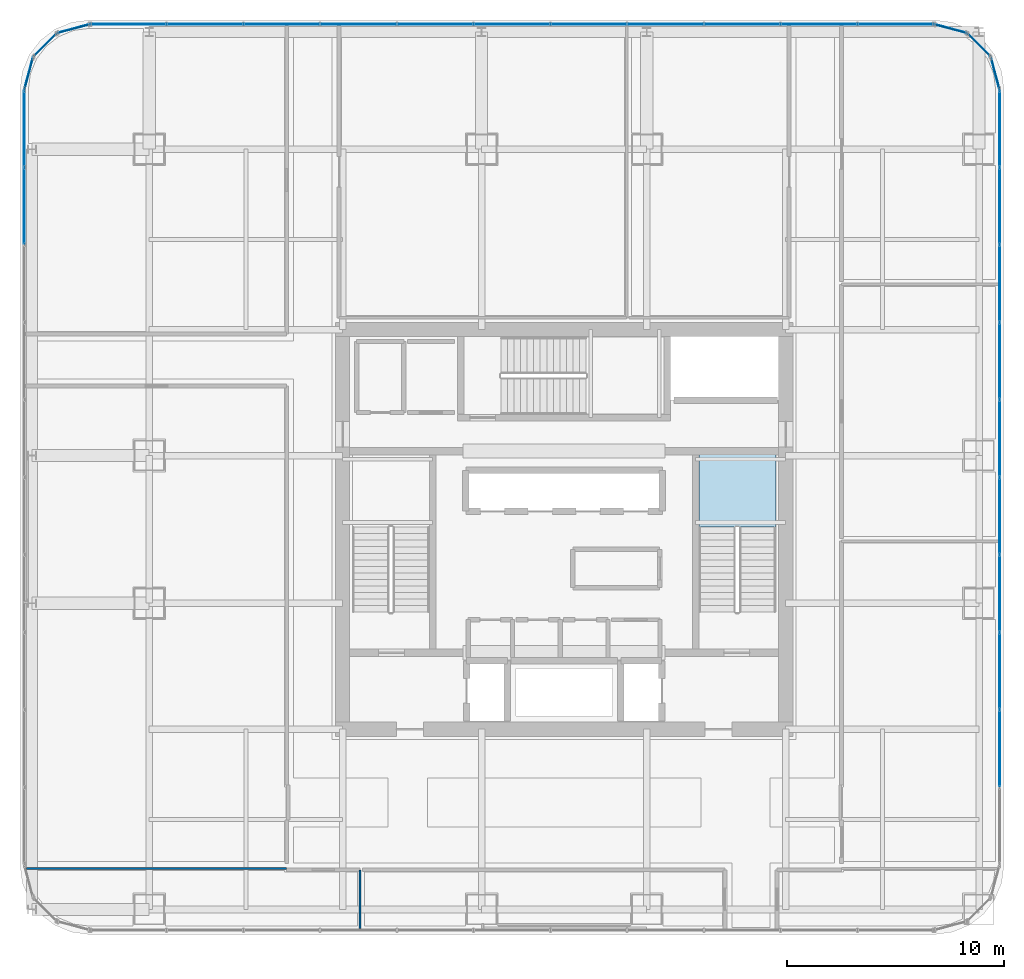
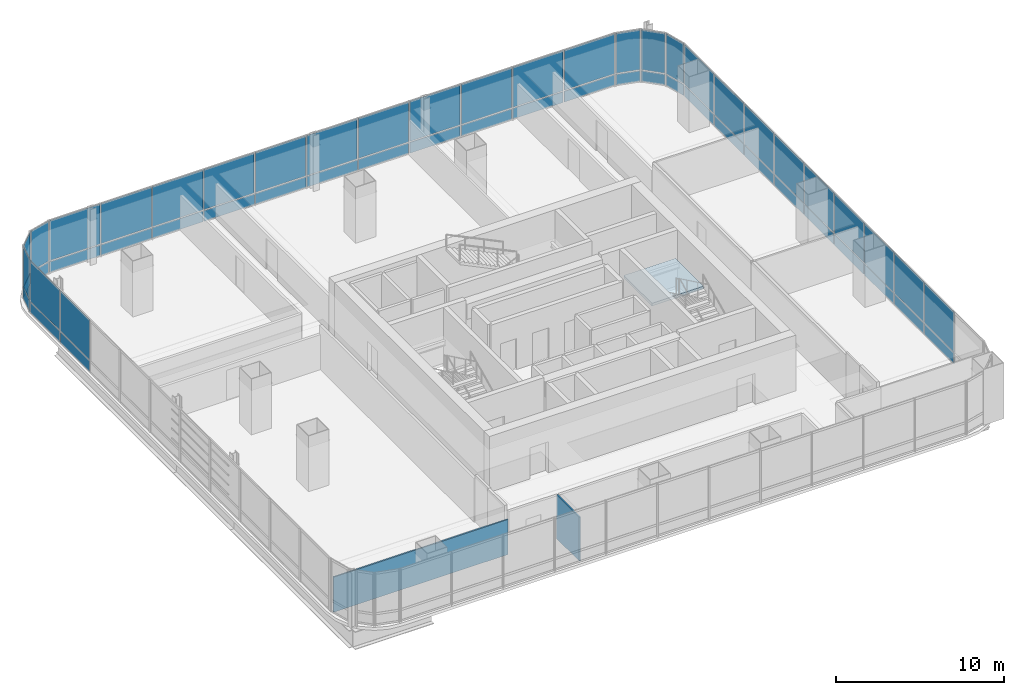
# One storey, part 29 of 38: 56 plates, 2 walls, 1 slab, 10 elements without a shape of their own.
"""IFC4 building model written with IfcOpenShell, lengths in metres."""

from ifc_helpers import new_model, si_unit, direction, frame, frame_2d, origin, origin_2d, place, context, subcontext, project, spatial, polyline, rectangle, outline, extrude, material, layer, layer_set, type_object, element, aggregate, save


model = new_model("IFC4")

# Units and contexts
model_context = context("Model", 3, precision=1e-05, world=origin(), true_north=direction((0.0, 1.0)))
body_context = subcontext(model_context, "Body", "Model", "MODEL_VIEW")
ifc_project = project(units=[si_unit("LENGTHUNIT", "METRE"), si_unit("AREAUNIT", "SQUARE_METRE"), si_unit("VOLUMEUNIT", "CUBIC_METRE"), si_unit("PLANEANGLEUNIT", "RADIAN"), si_unit("MASSUNIT", "GRAM", prefix="KILO")], contexts=[model_context])

# Site, building, storey
site_placement = place(None, origin())
site = spatial("IfcSite", under=ifc_project, at=site_placement, CompositionType="ELEMENT")
building_placement = place(site_placement, origin())
building = spatial("IfcBuilding", under=site, at=building_placement, Name="Punatoya Terracotta Tower", CompositionType="ELEMENT")
storey_placement = place(building_placement, frame((0.0, 0.0, 160.050048828125)))
storey = spatial("IfcBuildingStorey", under=building, at=storey_placement, Name="L37", CompositionType="ELEMENT", Elevation=160.050048828125)

# Curtain wall, plates
ifc_material_1 = material(Name="Aluminium 6063-T6 + Double Low-E Glass", Category="aluminium")
curtain_wall_type = type_object("IfcCurtainWallType", Name="CW-M2", PredefinedType="NOTDEFINED", material=ifc_material_1)
curtain_wall_1_placement = place(storey_placement, origin())
curtain_wall_1 = element("IfcCurtainWall", 1, at=curtain_wall_1_placement, inside=storey, type_object=curtain_wall_type, Name="L37 Curtain Wall CW-L37-E05-1", PredefinedType="NOTDEFINED")
ifc_material_2 = material(Name="Double Low-E Acoustic Vision Glass", Category="glass")
ifc_layer_1 = layer(ifc_material_2, 0.031982421875)
ifc_layer_set_1 = layer_set([ifc_layer_1], Name="Double Low-E Acoustic Vision Glass")
plate_type_1 = type_object("IfcPlateType", Name="PLT-GLZ-32", PredefinedType="CURTAIN_PANEL", material=ifc_layer_set_1)
plate_1_placement = place(storey_placement, frame((20.050048828125, -10.085693359375, 0.889892578125), z_axis=(0.0, 0.0, 1.0), x_axis=(0.0, 1.0, 0.0)))
plate_1 = element("IfcPlate", 2, at=plate_1_placement, type_object=plate_type_1, Name="CW-L37-E05-1 Vision Glass Panel 2", PredefinedType="CURTAIN_PANEL", context=body_context, shape_type="SweptSolid", body=[
    extrude(rectangle(XDim=3.482421875, YDim=0.031982421875, at=origin_2d()), origin(), (0.0, 0.0, 1.0), 2.89990234375),
])
plate_2_placement = place(storey_placement, frame((20.050048828125, -6.518310546875, 0.889892578125), z_axis=(0.0, 0.0, 1.0), x_axis=(0.0, 1.0, 0.0)))
plate_2 = element("IfcPlate", 3, at=plate_2_placement, type_object=plate_type_1, Name="CW-L37-E05-1 Vision Glass Panel 3", PredefinedType="CURTAIN_PANEL", context=body_context, shape_type="SweptSolid", body=[
    extrude(rectangle(XDim=3.482421875, YDim=0.031982421875, at=origin_2d()), origin(), (0.0, 0.0, 1.0), 2.89990234375),
])
plate_3_placement = place(storey_placement, frame((20.050048828125, -2.951171875, 0.889892578125), z_axis=(0.0, 0.0, 1.0), x_axis=(0.0, 1.0, 0.0)))
plate_3 = element("IfcPlate", 4, at=plate_3_placement, type_object=plate_type_1, Name="CW-L37-E05-1 Vision Glass Panel 4", PredefinedType="CURTAIN_PANEL", context=body_context, shape_type="SweptSolid", body=[
    extrude(rectangle(XDim=3.482421875, YDim=0.031982421875, at=origin_2d()), origin(), (0.0, 0.0, 1.0), 2.89990234375),
])
plate_4_placement = place(storey_placement, frame((20.050048828125, 0.6162109375, 0.889892578125), z_axis=(0.0, 0.0, 1.0), x_axis=(0.0, 1.0, 0.0)))
plate_4 = element("IfcPlate", 5, at=plate_4_placement, type_object=plate_type_1, Name="CW-L37-E05-1 Vision Glass Panel 5", PredefinedType="CURTAIN_PANEL", context=body_context, shape_type="SweptSolid", body=[
    extrude(rectangle(XDim=3.482421875, YDim=0.031982421875, at=origin_2d()), origin(), (0.0, 0.0, 1.0), 2.89990234375),
])
plate_5_placement = place(storey_placement, frame((20.050048828125, 4.18359375, 0.889892578125), z_axis=(0.0, 0.0, 1.0), x_axis=(0.0, 1.0, 0.0)))
plate_5 = element("IfcPlate", 6, at=plate_5_placement, type_object=plate_type_1, Name="CW-L37-E05-1 Vision Glass Panel 6", PredefinedType="CURTAIN_PANEL", context=body_context, shape_type="SweptSolid", body=[
    extrude(rectangle(XDim=3.482421875, YDim=0.031982421875, at=origin_2d()), origin(), (0.0, 0.0, 1.0), 2.89990234375),
])
plate_6_placement = place(storey_placement, frame((20.050048828125, 7.751220703125, 0.889892578125), z_axis=(0.0, 0.0, 1.0), x_axis=(0.0, 1.0, 0.0)))
plate_6 = element("IfcPlate", 7, at=plate_6_placement, type_object=plate_type_1, Name="CW-L37-E05-1 Vision Glass Panel 7", PredefinedType="CURTAIN_PANEL", context=body_context, shape_type="SweptSolid", body=[
    extrude(rectangle(XDim=3.482421875, YDim=0.031982421875, at=origin_2d()), origin(), (0.0, 0.0, 1.0), 2.89990234375),
])
plate_7_placement = place(storey_placement, frame((20.050048828125, 11.318359375, 0.889892578125), z_axis=(0.0, 0.0, 1.0), x_axis=(0.0, 1.0, 0.0)))
plate_7 = element("IfcPlate", 8, at=plate_7_placement, type_object=plate_type_1, Name="CW-L37-E05-1 Vision Glass Panel 8", PredefinedType="CURTAIN_PANEL", context=body_context, shape_type="SweptSolid", body=[
    extrude(rectangle(XDim=3.482421875, YDim=0.031982421875, at=origin_2d()), origin(), (0.0, 0.0, 1.0), 2.89990234375),
])
plate_8_placement = place(storey_placement, frame((20.050048828125, 14.8857421875, 0.889892578125), z_axis=(0.0, 0.0, 1.0), x_axis=(0.0, 1.0, 0.0)))
plate_8 = element("IfcPlate", 9, at=plate_8_placement, type_object=plate_type_1, Name="CW-L37-E05-1 Vision Glass Panel 9", PredefinedType="CURTAIN_PANEL", context=body_context, shape_type="SweptSolid", body=[
    extrude(rectangle(XDim=3.482421875, YDim=0.031982421875, at=origin_2d()), origin(), (0.0, 0.0, 1.0), 2.89990234375),
])
plate_9_placement = place(storey_placement, frame((20.050048828125, 18.453125, 0.889892578125), z_axis=(0.0, 0.0, 1.0), x_axis=(0.0, 1.0, 0.0)))
plate_9 = element("IfcPlate", 10, at=plate_9_placement, type_object=plate_type_1, Name="CW-L37-E05-1 Vision Glass Panel 10", PredefinedType="CURTAIN_PANEL", context=body_context, shape_type="SweptSolid", body=[
    extrude(rectangle(XDim=3.482421875, YDim=0.031982421875, at=origin_2d()), origin(), (0.0, 0.0, 1.0), 2.89990234375),
])

# Curtain wall, plate
curtain_wall_2_placement = place(storey_placement, origin())
curtain_wall_2 = element("IfcCurtainWall", 11, at=curtain_wall_2_placement, inside=storey, type_object=curtain_wall_type, Name="L37 Curtain Wall CW-L37-CRN06", PredefinedType="NOTDEFINED")
plate_10_placement = place(storey_placement, frame((19.848388671875, 20.992919921875, 0.889892578125), z_axis=(0.0, 0.0, 1.0), x_axis=(-0.257741620719, 0.966213877436, 0.0)))
plate_10 = element("IfcPlate", 12, at=plate_10_placement, type_object=plate_type_1, Name="CW-L37-CRN06 Vision Glass Panel 1", PredefinedType="CURTAIN_PANEL", context=body_context, shape_type="SweptSolid", body=[
    extrude(rectangle(XDim=1.47998046875, YDim=0.031982421875, at=origin_2d()), origin(), (0.0, 0.0, 1.0), 2.89990234375),
])

curtain_wall_3_placement = place(storey_placement, origin())
curtain_wall_3 = element("IfcCurtainWall", 13, at=curtain_wall_3_placement, inside=storey, type_object=curtain_wall_type, Name="L37 Curtain Wall CW-L37-CRN07", PredefinedType="NOTDEFINED")
plate_11_placement = place(storey_placement, frame((19.097900390625, 22.2978515625, 0.889892578125), z_axis=(0.0, 0.0, 1.0), x_axis=(-0.707106781187, 0.707106781187, 0.0)))
plate_11 = element("IfcPlate", 14, at=plate_11_placement, type_object=plate_type_1, Name="CW-L37-CRN07 Vision Glass Panel 1", PredefinedType="CURTAIN_PANEL", context=body_context, shape_type="SweptSolid", body=[
    extrude(rectangle(XDim=1.467041015625, YDim=0.031982421875, at=origin_2d()), origin(), (0.0, 0.0, 1.0), 2.89990234375),
])

curtain_wall_4_placement = place(storey_placement, origin())
curtain_wall_4 = element("IfcCurtainWall", 15, at=curtain_wall_4_placement, inside=storey, type_object=curtain_wall_type, Name="L37 Curtain Wall CW-L37-CRN08", PredefinedType="NOTDEFINED")
plate_12_placement = place(storey_placement, frame((17.79296875, 23.04833984375, 0.889892578125), z_axis=(0.0, 0.0, 1.0), x_axis=(-0.966213877436, 0.257741620719, 0.0)))
plate_12 = element("IfcPlate", 16, at=plate_12_placement, type_object=plate_type_1, Name="CW-L37-CRN08 Vision Glass Panel 1", PredefinedType="CURTAIN_PANEL", context=body_context, shape_type="SweptSolid", body=[
    extrude(rectangle(XDim=1.47998046875, YDim=0.031982421875, at=origin_2d()), origin(), (0.0, 0.0, 1.0), 2.89990234375),
])

# Curtain wall, plates
curtain_wall_5_placement = place(storey_placement, origin())
curtain_wall_5 = element("IfcCurtainWall", 17, at=curtain_wall_5_placement, inside=storey, type_object=curtain_wall_type, Name="L37 Curtain Wall CW-L37-N09-1", PredefinedType="NOTDEFINED")
plate_13_placement = place(storey_placement, frame((15.27001953125, 23.25, 0.889892578125), z_axis=(0.0, 0.0, 1.0), x_axis=(-1.0, 0.0, 0.0)))
plate_13 = element("IfcPlate", 18, at=plate_13_placement, type_object=plate_type_1, Name="CW-L37-N09-1 Vision Glass Panel 1", PredefinedType="CURTAIN_PANEL", context=body_context, shape_type="SweptSolid", body=[
    extrude(rectangle(XDim=3.448974609375, YDim=0.031982421875, at=origin_2d()), origin(), (0.0, 0.0, 1.0), 2.89990234375),
])
plate_14_placement = place(storey_placement, frame((11.73583984375, 23.25, 0.889892578125), z_axis=(0.0, 0.0, 1.0), x_axis=(-1.0, 0.0, 0.0)))
plate_14 = element("IfcPlate", 19, at=plate_14_placement, type_object=plate_type_1, Name="CW-L37-N09-1 Vision Glass Panel 2", PredefinedType="CURTAIN_PANEL", context=body_context, shape_type="SweptSolid", body=[
    extrude(rectangle(XDim=3.448974609375, YDim=0.031982421875, at=origin_2d()), origin(), (0.0, 0.0, 1.0), 2.89990234375),
])
plate_15_placement = place(storey_placement, frame((8.201904296875, 23.25, 0.889892578125), z_axis=(0.0, 0.0, 1.0), x_axis=(-1.0, 0.0, 0.0)))
plate_15 = element("IfcPlate", 20, at=plate_15_placement, type_object=plate_type_1, Name="CW-L37-N09-1 Vision Glass Panel 3", PredefinedType="CURTAIN_PANEL", context=body_context, shape_type="SweptSolid", body=[
    extrude(rectangle(XDim=3.448974609375, YDim=0.031982421875, at=origin_2d()), origin(), (0.0, 0.0, 1.0), 2.89990234375),
])
plate_16_placement = place(storey_placement, frame((4.66796875, 23.25, 0.889892578125), z_axis=(0.0, 0.0, 1.0), x_axis=(-1.0, 0.0, 0.0)))
plate_16 = element("IfcPlate", 21, at=plate_16_placement, type_object=plate_type_1, Name="CW-L37-N09-1 Vision Glass Panel 4", PredefinedType="CURTAIN_PANEL", context=body_context, shape_type="SweptSolid", body=[
    extrude(rectangle(XDim=3.448974609375, YDim=0.031982421875, at=origin_2d()), origin(), (0.0, 0.0, 1.0), 2.89990234375),
])
plate_17_placement = place(storey_placement, frame((1.134033203125, 23.25, 0.889892578125), z_axis=(0.0, 0.0, 1.0), x_axis=(-1.0, 0.0, 0.0)))
plate_17 = element("IfcPlate", 22, at=plate_17_placement, type_object=plate_type_1, Name="CW-L37-N09-1 Vision Glass Panel 5", PredefinedType="CURTAIN_PANEL", context=body_context, shape_type="SweptSolid", body=[
    extrude(rectangle(XDim=3.448974609375, YDim=0.031982421875, at=origin_2d()), origin(), (0.0, 0.0, 1.0), 2.89990234375),
])
plate_18_placement = place(storey_placement, frame((-2.39990234375, 23.25, 0.889892578125), z_axis=(0.0, 0.0, 1.0), x_axis=(-1.0, 0.0, 0.0)))
plate_18 = element("IfcPlate", 23, at=plate_18_placement, type_object=plate_type_1, Name="CW-L37-N09-1 Vision Glass Panel 6", PredefinedType="CURTAIN_PANEL", context=body_context, shape_type="SweptSolid", body=[
    extrude(rectangle(XDim=3.448974609375, YDim=0.031982421875, at=origin_2d()), origin(), (0.0, 0.0, 1.0), 2.89990234375),
])
plate_19_placement = place(storey_placement, frame((-5.93408203125, 23.25, 0.889892578125), z_axis=(0.0, 0.0, 1.0), x_axis=(-1.0, 0.0, 0.0)))
plate_19 = element("IfcPlate", 24, at=plate_19_placement, type_object=plate_type_1, Name="CW-L37-N09-1 Vision Glass Panel 7", PredefinedType="CURTAIN_PANEL", context=body_context, shape_type="SweptSolid", body=[
    extrude(rectangle(XDim=3.448974609375, YDim=0.031982421875, at=origin_2d()), origin(), (0.0, 0.0, 1.0), 2.89990234375),
])
plate_20_placement = place(storey_placement, frame((-9.468017578125, 23.25, 0.889892578125), z_axis=(0.0, 0.0, 1.0), x_axis=(-1.0, 0.0, 0.0)))
plate_20 = element("IfcPlate", 25, at=plate_20_placement, type_object=plate_type_1, Name="CW-L37-N09-1 Vision Glass Panel 8", PredefinedType="CURTAIN_PANEL", context=body_context, shape_type="SweptSolid", body=[
    extrude(rectangle(XDim=3.448974609375, YDim=0.031982421875, at=origin_2d()), origin(), (0.0, 0.0, 1.0), 2.89990234375),
])
plate_21_placement = place(storey_placement, frame((-13.001953125, 23.25, 0.889892578125), z_axis=(0.0, 0.0, 1.0), x_axis=(-1.0, 0.0, 0.0)))
plate_21 = element("IfcPlate", 26, at=plate_21_placement, type_object=plate_type_1, Name="CW-L37-N09-1 Vision Glass Panel 9", PredefinedType="CURTAIN_PANEL", context=body_context, shape_type="SweptSolid", body=[
    extrude(rectangle(XDim=3.448974609375, YDim=0.031982421875, at=origin_2d()), origin(), (0.0, 0.0, 1.0), 2.89990234375),
])
plate_22_placement = place(storey_placement, frame((-16.535888671875, 23.25, 0.889892578125), z_axis=(0.0, 0.0, 1.0), x_axis=(-1.0, 0.0, 0.0)))
plate_22 = element("IfcPlate", 27, at=plate_22_placement, type_object=plate_type_1, Name="CW-L37-N09-1 Vision Glass Panel 10", PredefinedType="CURTAIN_PANEL", context=body_context, shape_type="SweptSolid", body=[
    extrude(rectangle(XDim=3.448974609375, YDim=0.031982421875, at=origin_2d()), origin(), (0.0, 0.0, 1.0), 2.89990234375),
])
plate_23_placement = place(storey_placement, frame((-20.06982421875, 23.25, 0.889892578125), z_axis=(0.0, 0.0, 1.0), x_axis=(-1.0, 0.0, 0.0)))
plate_23 = element("IfcPlate", 28, at=plate_23_placement, type_object=plate_type_1, Name="CW-L37-N09-1 Vision Glass Panel 11", PredefinedType="CURTAIN_PANEL", context=body_context, shape_type="SweptSolid", body=[
    extrude(rectangle(XDim=3.448974609375, YDim=0.031982421875, at=origin_2d()), origin(), (0.0, 0.0, 1.0), 2.89990234375),
])

# Curtain wall, plate
curtain_wall_6_placement = place(storey_placement, origin())
curtain_wall_6 = element("IfcCurtainWall", 29, at=curtain_wall_6_placement, inside=storey, type_object=curtain_wall_type, Name="L37 Curtain Wall CW-L37-CRN10", PredefinedType="NOTDEFINED")
plate_24_placement = place(storey_placement, frame((-22.593017578125, 23.04833984375, 0.889892578125), z_axis=(0.0, 0.0, 1.0), x_axis=(-0.966213877436, -0.257741620719, 0.0)))
plate_24 = element("IfcPlate", 30, at=plate_24_placement, type_object=plate_type_1, Name="CW-L37-CRN10 Vision Glass Panel 1", PredefinedType="CURTAIN_PANEL", context=body_context, shape_type="SweptSolid", body=[
    extrude(rectangle(XDim=1.47998046875, YDim=0.031982421875, at=origin_2d()), origin(), (0.0, 0.0, 1.0), 2.89990234375),
])

curtain_wall_7_placement = place(storey_placement, origin())
curtain_wall_7 = element("IfcCurtainWall", 31, at=curtain_wall_7_placement, inside=storey, type_object=curtain_wall_type, Name="L37 Curtain Wall CW-L37-CRN11", PredefinedType="NOTDEFINED")
plate_25_placement = place(storey_placement, frame((-23.89794921875, 22.2978515625, 0.889892578125), z_axis=(0.0, 0.0, 1.0), x_axis=(-0.707106781187, -0.707106781187, 0.0)))
plate_25 = element("IfcPlate", 32, at=plate_25_placement, type_object=plate_type_1, Name="CW-L37-CRN11 Vision Glass Panel 1", PredefinedType="CURTAIN_PANEL", context=body_context, shape_type="SweptSolid", body=[
    extrude(rectangle(XDim=1.467041015625, YDim=0.031982421875, at=origin_2d()), origin(), (0.0, 0.0, 1.0), 2.89990234375),
])

curtain_wall_8_placement = place(storey_placement, origin())
curtain_wall_8 = element("IfcCurtainWall", 33, at=curtain_wall_8_placement, inside=storey, type_object=curtain_wall_type, Name="L37 Curtain Wall CW-L37-CRN12", PredefinedType="NOTDEFINED")
plate_26_placement = place(storey_placement, frame((-24.648193359375, 20.992919921875, 0.889892578125), z_axis=(0.0, 0.0, 1.0), x_axis=(-0.257741620719, -0.966213877436, 0.0)))
plate_26 = element("IfcPlate", 34, at=plate_26_placement, type_object=plate_type_1, Name="CW-L37-CRN12 Vision Glass Panel 1", PredefinedType="CURTAIN_PANEL", context=body_context, shape_type="SweptSolid", body=[
    extrude(rectangle(XDim=1.47998046875, YDim=0.031982421875, at=origin_2d()), origin(), (0.0, 0.0, 1.0), 2.89990234375),
])

# Curtain wall, plates
curtain_wall_9_placement = place(storey_placement, origin())
curtain_wall_9 = element("IfcCurtainWall", 35, at=curtain_wall_9_placement, inside=storey, type_object=curtain_wall_type, Name="L37 Curtain Wall CW-L37-W13-1", PredefinedType="NOTDEFINED")
plate_27_placement = place(storey_placement, frame((-24.85009765625, 18.453125, 0.889892578125), z_axis=(0.0, 0.0, 1.0), x_axis=(0.0, -1.0, 0.0)))
plate_27 = element("IfcPlate", 36, at=plate_27_placement, type_object=plate_type_1, Name="CW-L37-W13-1 Vision Glass Panel 1", PredefinedType="CURTAIN_PANEL", context=body_context, shape_type="SweptSolid", body=[
    extrude(rectangle(XDim=3.482421875, YDim=0.031982421875, at=origin_2d()), origin(), (0.0, 0.0, 1.0), 2.89990234375),
])
plate_28_placement = place(storey_placement, frame((-24.85009765625, 14.8857421875, 0.889892578125), z_axis=(0.0, 0.0, 1.0), x_axis=(0.0, -1.0, 0.0)))
plate_28 = element("IfcPlate", 37, at=plate_28_placement, type_object=plate_type_1, Name="CW-L37-W13-1 Vision Glass Panel 2", PredefinedType="CURTAIN_PANEL", context=body_context, shape_type="SweptSolid", body=[
    extrude(rectangle(XDim=3.482421875, YDim=0.031982421875, at=origin_2d()), origin(), (0.0, 0.0, 1.0), 2.89990234375),
])

# Plate
ifc_material_3 = material(Name="Insulated Terracotta-Backed Spandrel Panel", Category="masonry")
ifc_layer_2 = layer(ifc_material_3, 0.044921875)
ifc_layer_set_2 = layer_set([ifc_layer_2], Name="Insulated Terracotta-Backed Spandrel Panel")
plate_type_2 = type_object("IfcPlateType", Name="PLT-SPN-45", PredefinedType="CURTAIN_PANEL", material=ifc_layer_set_2)
plate_29_placement = place(storey_placement, frame((20.050048828125, -10.085693359375, 0.0400390625), z_axis=(0.0, 0.0, 1.0), x_axis=(0.0, 1.0, 0.0)))
plate_29 = element("IfcPlate", 38, at=plate_29_placement, type_object=plate_type_2, Name="CW-L37-E05-1 Terracotta Spandrel Panel 2", PredefinedType="CURTAIN_PANEL", context=body_context, shape_type="SweptSolid", body=[
    extrude(rectangle(XDim=3.482421875, YDim=0.044921875, at=origin_2d()), origin(), (0.0, 0.0, 1.0), 0.77490234375),
])

plate_30_placement = place(storey_placement, frame((20.050048828125, -6.518310546875, 0.0400390625), z_axis=(0.0, 0.0, 1.0), x_axis=(0.0, 1.0, 0.0)))
plate_30 = element("IfcPlate", 39, at=plate_30_placement, type_object=plate_type_2, Name="CW-L37-E05-1 Terracotta Spandrel Panel 3", PredefinedType="CURTAIN_PANEL", context=body_context, shape_type="SweptSolid", body=[
    extrude(rectangle(XDim=3.482421875, YDim=0.044921875, at=origin_2d()), origin(), (0.0, 0.0, 1.0), 0.77490234375),
])

plate_31_placement = place(storey_placement, frame((20.050048828125, -2.951171875, 0.0400390625), z_axis=(0.0, 0.0, 1.0), x_axis=(0.0, 1.0, 0.0)))
plate_31 = element("IfcPlate", 40, at=plate_31_placement, type_object=plate_type_2, Name="CW-L37-E05-1 Terracotta Spandrel Panel 4", PredefinedType="CURTAIN_PANEL", context=body_context, shape_type="SweptSolid", body=[
    extrude(rectangle(XDim=3.482421875, YDim=0.044921875, at=origin_2d()), origin(), (0.0, 0.0, 1.0), 0.77490234375),
])

plate_32_placement = place(storey_placement, frame((20.050048828125, 0.6162109375, 0.0400390625), z_axis=(0.0, 0.0, 1.0), x_axis=(0.0, 1.0, 0.0)))
plate_32 = element("IfcPlate", 41, at=plate_32_placement, type_object=plate_type_2, Name="CW-L37-E05-1 Terracotta Spandrel Panel 5", PredefinedType="CURTAIN_PANEL", context=body_context, shape_type="SweptSolid", body=[
    extrude(rectangle(XDim=3.482421875, YDim=0.044921875, at=origin_2d()), origin(), (0.0, 0.0, 1.0), 0.77490234375),
])

plate_33_placement = place(storey_placement, frame((20.050048828125, 4.18359375, 0.0400390625), z_axis=(0.0, 0.0, 1.0), x_axis=(0.0, 1.0, 0.0)))
plate_33 = element("IfcPlate", 42, at=plate_33_placement, type_object=plate_type_2, Name="CW-L37-E05-1 Terracotta Spandrel Panel 6", PredefinedType="CURTAIN_PANEL", context=body_context, shape_type="SweptSolid", body=[
    extrude(rectangle(XDim=3.482421875, YDim=0.044921875, at=origin_2d()), origin(), (0.0, 0.0, 1.0), 0.77490234375),
])

plate_34_placement = place(storey_placement, frame((20.050048828125, 7.751220703125, 0.0400390625), z_axis=(0.0, 0.0, 1.0), x_axis=(0.0, 1.0, 0.0)))
plate_34 = element("IfcPlate", 43, at=plate_34_placement, type_object=plate_type_2, Name="CW-L37-E05-1 Terracotta Spandrel Panel 7", PredefinedType="CURTAIN_PANEL", context=body_context, shape_type="SweptSolid", body=[
    extrude(rectangle(XDim=3.482421875, YDim=0.044921875, at=origin_2d()), origin(), (0.0, 0.0, 1.0), 0.77490234375),
])

plate_35_placement = place(storey_placement, frame((20.050048828125, 11.318359375, 0.0400390625), z_axis=(0.0, 0.0, 1.0), x_axis=(0.0, 1.0, 0.0)))
plate_35 = element("IfcPlate", 44, at=plate_35_placement, type_object=plate_type_2, Name="CW-L37-E05-1 Terracotta Spandrel Panel 8", PredefinedType="CURTAIN_PANEL", context=body_context, shape_type="SweptSolid", body=[
    extrude(rectangle(XDim=3.482421875, YDim=0.044921875, at=origin_2d()), origin(), (0.0, 0.0, 1.0), 0.77490234375),
])

plate_36_placement = place(storey_placement, frame((20.050048828125, 14.8857421875, 0.0400390625), z_axis=(0.0, 0.0, 1.0), x_axis=(0.0, 1.0, 0.0)))
plate_36 = element("IfcPlate", 45, at=plate_36_placement, type_object=plate_type_2, Name="CW-L37-E05-1 Terracotta Spandrel Panel 9", PredefinedType="CURTAIN_PANEL", context=body_context, shape_type="SweptSolid", body=[
    extrude(rectangle(XDim=3.482421875, YDim=0.044921875, at=origin_2d()), origin(), (0.0, 0.0, 1.0), 0.77490234375),
])

plate_37_placement = place(storey_placement, frame((20.050048828125, 18.453125, 0.0400390625), z_axis=(0.0, 0.0, 1.0), x_axis=(0.0, 1.0, 0.0)))
plate_37 = element("IfcPlate", 46, at=plate_37_placement, type_object=plate_type_2, Name="CW-L37-E05-1 Terracotta Spandrel Panel 10", PredefinedType="CURTAIN_PANEL", context=body_context, shape_type="SweptSolid", body=[
    extrude(rectangle(XDim=3.482421875, YDim=0.044921875, at=origin_2d()), origin(), (0.0, 0.0, 1.0), 0.77490234375),
])

aggregate(curtain_wall_1, [plate_29, plate_1, plate_30, plate_2, plate_31, plate_3, plate_32, plate_4, plate_33, plate_5, plate_34, plate_6, plate_35, plate_7, plate_36, plate_8, plate_37, plate_9])

plate_38_placement = place(storey_placement, frame((19.848388671875, 20.992919921875, 0.0400390625), z_axis=(0.0, 0.0, 1.0), x_axis=(-0.257741620719, 0.966213877436, 0.0)))
plate_38 = element("IfcPlate", 47, at=plate_38_placement, type_object=plate_type_2, Name="CW-L37-CRN06 Terracotta Spandrel Panel 1", PredefinedType="CURTAIN_PANEL", context=body_context, shape_type="SweptSolid", body=[
    extrude(rectangle(XDim=1.47998046875, YDim=0.044921875, at=origin_2d()), origin(), (0.0, 0.0, 1.0), 0.77490234375),
])

aggregate(curtain_wall_2, [plate_38, plate_10])

plate_39_placement = place(storey_placement, frame((19.097900390625, 22.2978515625, 0.0400390625), z_axis=(0.0, 0.0, 1.0), x_axis=(-0.707106781187, 0.707106781187, 0.0)))
plate_39 = element("IfcPlate", 48, at=plate_39_placement, type_object=plate_type_2, Name="CW-L37-CRN07 Terracotta Spandrel Panel 1", PredefinedType="CURTAIN_PANEL", context=body_context, shape_type="SweptSolid", body=[
    extrude(rectangle(XDim=1.467041015625, YDim=0.044921875, at=origin_2d()), origin(), (0.0, 0.0, 1.0), 0.77490234375),
])

aggregate(curtain_wall_3, [plate_39, plate_11])

plate_40_placement = place(storey_placement, frame((17.79296875, 23.04833984375, 0.0400390625), z_axis=(0.0, 0.0, 1.0), x_axis=(-0.966213877436, 0.257741620719, 0.0)))
plate_40 = element("IfcPlate", 49, at=plate_40_placement, type_object=plate_type_2, Name="CW-L37-CRN08 Terracotta Spandrel Panel 1", PredefinedType="CURTAIN_PANEL", context=body_context, shape_type="SweptSolid", body=[
    extrude(rectangle(XDim=1.47998046875, YDim=0.044921875, at=origin_2d()), origin(), (0.0, 0.0, 1.0), 0.77490234375),
])

aggregate(curtain_wall_4, [plate_40, plate_12])

plate_41_placement = place(storey_placement, frame((15.27001953125, 23.25, 0.0400390625), z_axis=(0.0, 0.0, 1.0), x_axis=(-1.0, 0.0, 0.0)))
plate_41 = element("IfcPlate", 50, at=plate_41_placement, type_object=plate_type_2, Name="CW-L37-N09-1 Terracotta Spandrel Panel 1", PredefinedType="CURTAIN_PANEL", context=body_context, shape_type="SweptSolid", body=[
    extrude(rectangle(XDim=3.448974609375, YDim=0.044921875, at=origin_2d()), origin(), (0.0, 0.0, 1.0), 0.77490234375),
])

plate_42_placement = place(storey_placement, frame((11.73583984375, 23.25, 0.0400390625), z_axis=(0.0, 0.0, 1.0), x_axis=(-1.0, 0.0, 0.0)))
plate_42 = element("IfcPlate", 51, at=plate_42_placement, type_object=plate_type_2, Name="CW-L37-N09-1 Terracotta Spandrel Panel 2", PredefinedType="CURTAIN_PANEL", context=body_context, shape_type="SweptSolid", body=[
    extrude(rectangle(XDim=3.448974609375, YDim=0.044921875, at=origin_2d()), origin(), (0.0, 0.0, 1.0), 0.77490234375),
])

plate_43_placement = place(storey_placement, frame((8.201904296875, 23.25, 0.0400390625), z_axis=(0.0, 0.0, 1.0), x_axis=(-1.0, 0.0, 0.0)))
plate_43 = element("IfcPlate", 52, at=plate_43_placement, type_object=plate_type_2, Name="CW-L37-N09-1 Terracotta Spandrel Panel 3", PredefinedType="CURTAIN_PANEL", context=body_context, shape_type="SweptSolid", body=[
    extrude(rectangle(XDim=3.448974609375, YDim=0.044921875, at=origin_2d()), origin(), (0.0, 0.0, 1.0), 0.77490234375),
])

plate_44_placement = place(storey_placement, frame((4.66796875, 23.25, 0.0400390625), z_axis=(0.0, 0.0, 1.0), x_axis=(-1.0, 0.0, 0.0)))
plate_44 = element("IfcPlate", 53, at=plate_44_placement, type_object=plate_type_2, Name="CW-L37-N09-1 Terracotta Spandrel Panel 4", PredefinedType="CURTAIN_PANEL", context=body_context, shape_type="SweptSolid", body=[
    extrude(rectangle(XDim=3.448974609375, YDim=0.044921875, at=origin_2d()), origin(), (0.0, 0.0, 1.0), 0.77490234375),
])

plate_45_placement = place(storey_placement, frame((1.134033203125, 23.25, 0.0400390625), z_axis=(0.0, 0.0, 1.0), x_axis=(-1.0, 0.0, 0.0)))
plate_45 = element("IfcPlate", 54, at=plate_45_placement, type_object=plate_type_2, Name="CW-L37-N09-1 Terracotta Spandrel Panel 5", PredefinedType="CURTAIN_PANEL", context=body_context, shape_type="SweptSolid", body=[
    extrude(rectangle(XDim=3.448974609375, YDim=0.044921875, at=origin_2d()), origin(), (0.0, 0.0, 1.0), 0.77490234375),
])

plate_46_placement = place(storey_placement, frame((-2.39990234375, 23.25, 0.0400390625), z_axis=(0.0, 0.0, 1.0), x_axis=(-1.0, 0.0, 0.0)))
plate_46 = element("IfcPlate", 55, at=plate_46_placement, type_object=plate_type_2, Name="CW-L37-N09-1 Terracotta Spandrel Panel 6", PredefinedType="CURTAIN_PANEL", context=body_context, shape_type="SweptSolid", body=[
    extrude(rectangle(XDim=3.448974609375, YDim=0.044921875, at=origin_2d()), origin(), (0.0, 0.0, 1.0), 0.77490234375),
])

plate_47_placement = place(storey_placement, frame((-5.93408203125, 23.25, 0.0400390625), z_axis=(0.0, 0.0, 1.0), x_axis=(-1.0, 0.0, 0.0)))
plate_47 = element("IfcPlate", 56, at=plate_47_placement, type_object=plate_type_2, Name="CW-L37-N09-1 Terracotta Spandrel Panel 7", PredefinedType="CURTAIN_PANEL", context=body_context, shape_type="SweptSolid", body=[
    extrude(rectangle(XDim=3.448974609375, YDim=0.044921875, at=origin_2d()), origin(), (0.0, 0.0, 1.0), 0.77490234375),
])

plate_48_placement = place(storey_placement, frame((-9.468017578125, 23.25, 0.0400390625), z_axis=(0.0, 0.0, 1.0), x_axis=(-1.0, 0.0, 0.0)))
plate_48 = element("IfcPlate", 57, at=plate_48_placement, type_object=plate_type_2, Name="CW-L37-N09-1 Terracotta Spandrel Panel 8", PredefinedType="CURTAIN_PANEL", context=body_context, shape_type="SweptSolid", body=[
    extrude(rectangle(XDim=3.448974609375, YDim=0.044921875, at=origin_2d()), origin(), (0.0, 0.0, 1.0), 0.77490234375),
])

plate_49_placement = place(storey_placement, frame((-13.001953125, 23.25, 0.0400390625), z_axis=(0.0, 0.0, 1.0), x_axis=(-1.0, 0.0, 0.0)))
plate_49 = element("IfcPlate", 58, at=plate_49_placement, type_object=plate_type_2, Name="CW-L37-N09-1 Terracotta Spandrel Panel 9", PredefinedType="CURTAIN_PANEL", context=body_context, shape_type="SweptSolid", body=[
    extrude(rectangle(XDim=3.448974609375, YDim=0.044921875, at=origin_2d()), origin(), (0.0, 0.0, 1.0), 0.77490234375),
])

plate_50_placement = place(storey_placement, frame((-16.535888671875, 23.25, 0.0400390625), z_axis=(0.0, 0.0, 1.0), x_axis=(-1.0, 0.0, 0.0)))
plate_50 = element("IfcPlate", 59, at=plate_50_placement, type_object=plate_type_2, Name="CW-L37-N09-1 Terracotta Spandrel Panel 10", PredefinedType="CURTAIN_PANEL", context=body_context, shape_type="SweptSolid", body=[
    extrude(rectangle(XDim=3.448974609375, YDim=0.044921875, at=origin_2d()), origin(), (0.0, 0.0, 1.0), 0.77490234375),
])

plate_51_placement = place(storey_placement, frame((-20.06982421875, 23.25, 0.0400390625), z_axis=(0.0, 0.0, 1.0), x_axis=(-1.0, 0.0, 0.0)))
plate_51 = element("IfcPlate", 60, at=plate_51_placement, type_object=plate_type_2, Name="CW-L37-N09-1 Terracotta Spandrel Panel 11", PredefinedType="CURTAIN_PANEL", context=body_context, shape_type="SweptSolid", body=[
    extrude(rectangle(XDim=3.448974609375, YDim=0.044921875, at=origin_2d()), origin(), (0.0, 0.0, 1.0), 0.77490234375),
])

aggregate(curtain_wall_5, [plate_41, plate_13, plate_42, plate_14, plate_43, plate_15, plate_44, plate_16, plate_45, plate_17, plate_46, plate_18, plate_47, plate_19, plate_48, plate_20, plate_49, plate_21, plate_50, plate_22, plate_51, plate_23])

plate_52_placement = place(storey_placement, frame((-22.593017578125, 23.04833984375, 0.0400390625), z_axis=(0.0, 0.0, 1.0), x_axis=(-0.966213877436, -0.257741620719, 0.0)))
plate_52 = element("IfcPlate", 61, at=plate_52_placement, type_object=plate_type_2, Name="CW-L37-CRN10 Terracotta Spandrel Panel 1", PredefinedType="CURTAIN_PANEL", context=body_context, shape_type="SweptSolid", body=[
    extrude(rectangle(XDim=1.47998046875, YDim=0.044921875, at=origin_2d()), origin(), (0.0, 0.0, 1.0), 0.77490234375),
])

aggregate(curtain_wall_6, [plate_52, plate_24])

plate_53_placement = place(storey_placement, frame((-23.89794921875, 22.2978515625, 0.0400390625), z_axis=(0.0, 0.0, 1.0), x_axis=(-0.707106781187, -0.707106781187, 0.0)))
plate_53 = element("IfcPlate", 62, at=plate_53_placement, type_object=plate_type_2, Name="CW-L37-CRN11 Terracotta Spandrel Panel 1", PredefinedType="CURTAIN_PANEL", context=body_context, shape_type="SweptSolid", body=[
    extrude(rectangle(XDim=1.467041015625, YDim=0.044921875, at=origin_2d()), origin(), (0.0, 0.0, 1.0), 0.77490234375),
])

aggregate(curtain_wall_7, [plate_53, plate_25])

plate_54_placement = place(storey_placement, frame((-24.648193359375, 20.992919921875, 0.0400390625), z_axis=(0.0, 0.0, 1.0), x_axis=(-0.257741620719, -0.966213877436, 0.0)))
plate_54 = element("IfcPlate", 63, at=plate_54_placement, type_object=plate_type_2, Name="CW-L37-CRN12 Terracotta Spandrel Panel 1", PredefinedType="CURTAIN_PANEL", context=body_context, shape_type="SweptSolid", body=[
    extrude(rectangle(XDim=1.47998046875, YDim=0.044921875, at=origin_2d()), origin(), (0.0, 0.0, 1.0), 0.77490234375),
])

aggregate(curtain_wall_8, [plate_54, plate_26])

plate_55_placement = place(storey_placement, frame((-24.85009765625, 18.453125, 0.0400390625), z_axis=(0.0, 0.0, 1.0), x_axis=(0.0, -1.0, 0.0)))
plate_55 = element("IfcPlate", 64, at=plate_55_placement, type_object=plate_type_2, Name="CW-L37-W13-1 Terracotta Spandrel Panel 1", PredefinedType="CURTAIN_PANEL", context=body_context, shape_type="SweptSolid", body=[
    extrude(rectangle(XDim=3.482421875, YDim=0.044921875, at=origin_2d()), origin(), (0.0, 0.0, 1.0), 0.77490234375),
])

plate_56_placement = place(storey_placement, frame((-24.85009765625, 14.8857421875, 0.0400390625), z_axis=(0.0, 0.0, 1.0), x_axis=(0.0, -1.0, 0.0)))
plate_56 = element("IfcPlate", 65, at=plate_56_placement, type_object=plate_type_2, Name="CW-L37-W13-1 Terracotta Spandrel Panel 2", PredefinedType="CURTAIN_PANEL", context=body_context, shape_type="SweptSolid", body=[
    extrude(rectangle(XDim=3.482421875, YDim=0.044921875, at=origin_2d()), origin(), (0.0, 0.0, 1.0), 0.77490234375),
])

aggregate(curtain_wall_9, [plate_55, plate_27, plate_56, plate_28])

# Stair, slab
ifc_material_4 = material(Name="Concrete C40/50", Category="concrete")
stair_type = type_object("IfcStairType", Name="STR-LOB-1650", PredefinedType="HALF_TURN_STAIR", material=ifc_material_4)
stair_placement = place(storey_placement, origin())
stair = element("IfcStair", 66, at=stair_placement, inside=storey, type_object=stair_type, Name="L37 Protected Core Exit Stair ST-2", PredefinedType="HALF_TURN_STAIR")
ifc_layer_3 = layer(ifc_material_4, 0.179931640625)
ifc_layer_set_3 = layer_set([ifc_layer_3], Name="Concrete C40/50")
slab_type = type_object("IfcSlabType", Name="SLB-LND-180", PredefinedType="LANDING", material=ifc_layer_set_3)
slab_placement = place(storey_placement, frame((0.0, 0.0, 1.824951171875)))
slab = element("IfcSlab", 67, at=slab_placement, type_object=slab_type, Name="ST-2 landing 1", PredefinedType="LANDING", context=body_context, shape_type="SweptSolid", body=[
    extrude(outline(polyline([(9.75, 0.10009765625), (9.75, 3.449951171875), (6.199951171875, 3.449951171875), (6.199951171875, 0.10009765625), (9.75, 0.10009765625)])), origin(), (0.0, 0.0, 1.0), 0.199951171875),
])
aggregate(stair, [slab])

# Walls
ifc_material_5 = material(Name="Aluminium Framed Acoustic Glass Partition", Category="aluminium")
ifc_layer_4 = layer(ifc_material_5, 0.10009765625)
ifc_layer_set_4 = layer_set([ifc_layer_4], Name="Aluminium Framed Acoustic Glass Partition")
wall_type = type_object("IfcWallType", Name="WL-GLZ-100", PredefinedType="PARTITIONING", material=ifc_layer_set_4)
wall_1_placement = place(storey_placement, frame((-24.74658203125, -15.610107421875, 0.0), z_axis=(0.0, 0.0, 1.0), x_axis=(1.0, 0.0, 0.0)))
element("IfcWall", 68, at=wall_1_placement, inside=storey, type_object=wall_type, Name="L37 Open-Plan Plenary Seminar Room Partition 20", PredefinedType="PARTITIONING", context=body_context, shape_type="SweptSolid", body=[
    extrude(rectangle(XDim=11.9765625, YDim=0.10009765625, at=frame_2d((5.98828125, 0.0))), origin(), (0.0, 0.0, 1.0), 2.5439453125),
])
wall_2_placement = place(storey_placement, frame((-9.405029296875, -15.669921875, 0.0), z_axis=(0.0, 0.0, 1.0), x_axis=(0.0, -1.0, 0.0)))
element("IfcWall", 69, at=wall_2_placement, inside=storey, type_object=wall_type, Name="L37 Open-Plan Plenary Seminar Room Partition 22", PredefinedType="PARTITIONING", context=body_context, shape_type="SweptSolid", body=[
    extrude(rectangle(XDim=2.7001953125, YDim=0.10009765625, at=frame_2d((1.35009765625, 0.0))), origin(), (0.0, 0.0, 1.0), 3.174072265625),
])

save(model, "model.ifc")
